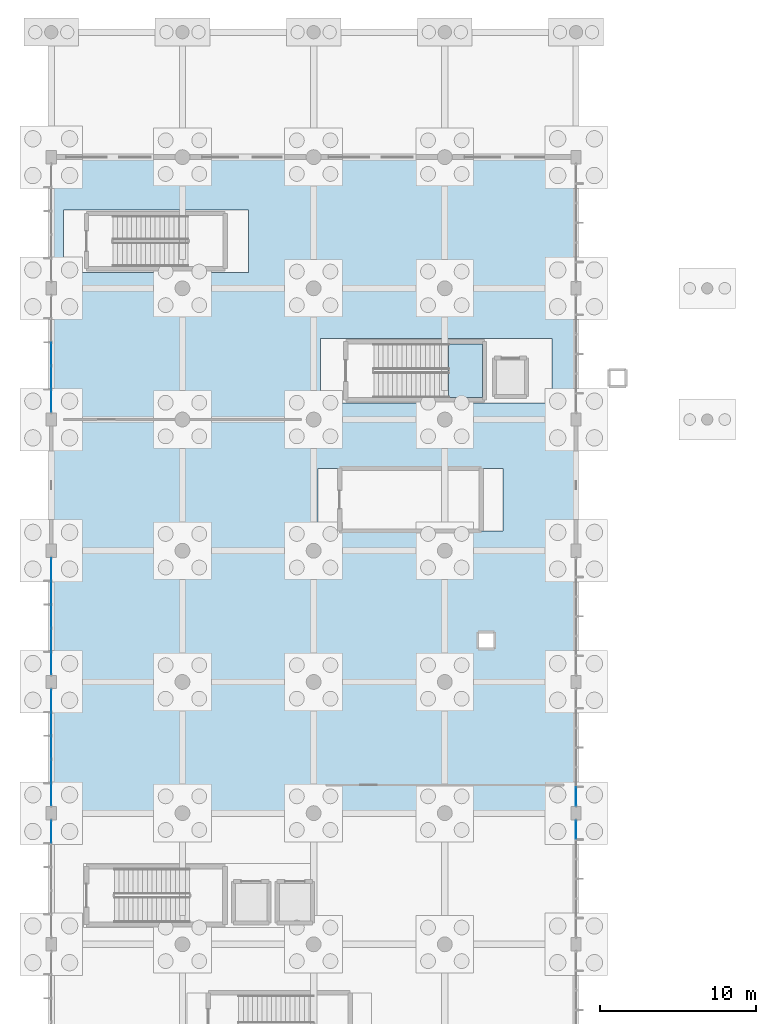
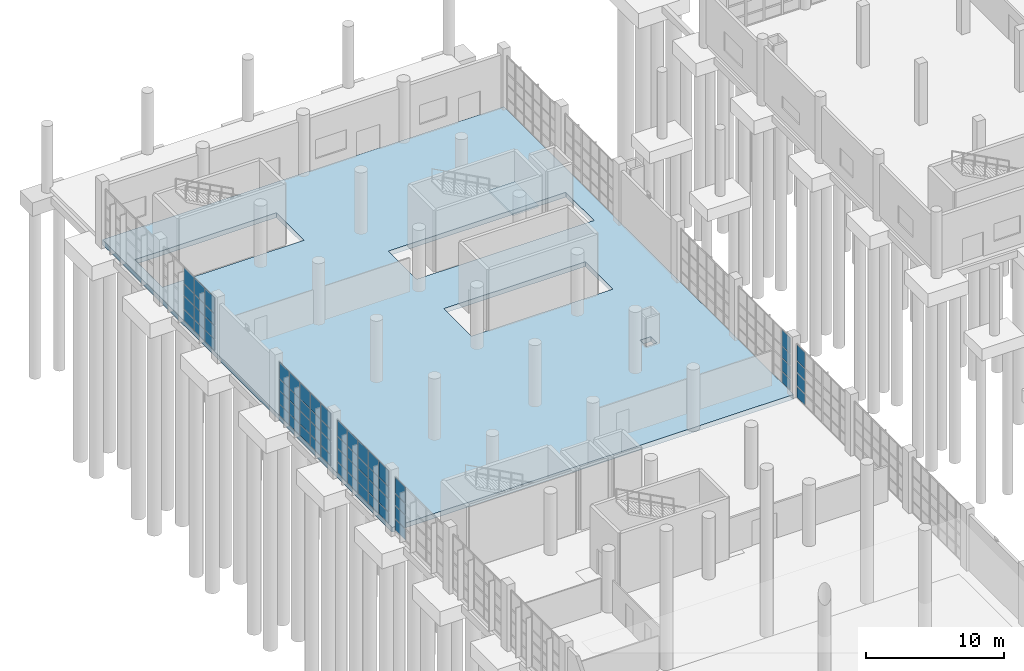
# One storey, part 41 of 83: 64 plates, 2 slabs, 7 elements without a shape of their own.
"""IFC4 building model written with IfcOpenShell, lengths in metres."""

from ifc_helpers import new_model, si_unit, direction, frame, origin, origin_2d, place, context, subcontext, project, spatial, polyline, rectangle, outline, extrude, material, layer, layer_set, type_object, element, aggregate, save


model = new_model("IFC4")

# Units and contexts
model_context = context("Model", 3, precision=1e-05, world=origin(), true_north=direction((0.0, 1.0)))
body_context = subcontext(model_context, "Body", "Model", "MODEL_VIEW")
ifc_project = project(units=[si_unit("LENGTHUNIT", "METRE"), si_unit("AREAUNIT", "SQUARE_METRE"), si_unit("VOLUMEUNIT", "CUBIC_METRE"), si_unit("PLANEANGLEUNIT", "RADIAN"), si_unit("MASSUNIT", "GRAM", prefix="KILO"), si_unit("THERMODYNAMICTEMPERATUREUNIT", "KELVIN"), si_unit("POWERUNIT", "WATT")], contexts=[model_context])

# Site, building, storey
site_placement = place(None, origin())
site = spatial("IfcSite", under=ifc_project, at=site_placement, CompositionType="ELEMENT")
building_placement = place(site_placement, origin())
building = spatial("IfcBuilding", under=site, at=building_placement, Name="Mavoryth Pier Ferry Terminal", CompositionType="ELEMENT")
storey_placement = place(building_placement, origin())
storey = spatial("IfcBuildingStorey", under=building, at=storey_placement, Name="L00", CompositionType="ELEMENT", Elevation=0.0)

# Curtain wall, plates
ifc_material_1 = material(Name="Anodised Aluminium and Solar-Control Low-E Glass", Category="aluminium")
ifc_layer_1 = layer(ifc_material_1, 0.179931640625, Name="Anodised Aluminium and Solar-Control Low-E Glass", Category="aluminium")
ifc_layer_set_1 = layer_set([ifc_layer_1], Name="Anodised Aluminium and Solar-Control Low-E Glass - CW-Concourse-Mod1400")
curtain_wall_type_1 = type_object("IfcCurtainWallType", Name="CW-Concourse-Mod1400", PredefinedType="USERDEFINED", material=ifc_layer_set_1)
curtain_wall_1_placement = place(storey_placement, origin())
curtain_wall_1 = element("IfcCurtainWall", 1, at=curtain_wall_1_placement, inside=storey, type_object=curtain_wall_type_1, Name="Curtain Wall CW-0033-009", ObjectType="UNITISED CURTAIN WALL", PredefinedType="USERDEFINED")
ifc_material_2 = material(Name="Solar-Control Low-E Laminated Double Glazing", Category="glass")
ifc_layer_2 = layer(ifc_material_2, 0.02392578125, Name="Solar-Control Low-E Laminated Double Glazing", Category="glass")
ifc_layer_set_2 = layer_set([ifc_layer_2], Name="Solar-Control Low-E Laminated Double Glazing - Panel-LowE-DGU-24")
plate_type = type_object("IfcPlateType", Name="Panel-LowE-DGU-24", PredefinedType="CURTAIN_PANEL", material=ifc_layer_set_2)
plate_1_placement = place(storey_placement, frame((0.0, 62.8037109375, 0.06494140625), z_axis=(0.0, 0.0, 1.0), x_axis=(0.0, -1.0, 0.0)))
plate_1 = element("IfcPlate", 2, at=plate_1_placement, type_object=plate_type, Name="CW01 panel 1.1", PredefinedType="CURTAIN_PANEL", context=body_context, shape_type="SweptSolid", body=[
    extrude(rectangle(XDim=1.41259765625, YDim=0.02392578125, at=origin_2d()), origin(), (0.0, 0.0, 1.0), 0.952392578125),
])
plate_2_placement = place(storey_placement, frame((0.0, 62.8037109375, 1.08251953125), z_axis=(0.0, 0.0, 1.0), x_axis=(0.0, -1.0, 0.0)))
plate_2 = element("IfcPlate", 3, at=plate_2_placement, type_object=plate_type, Name="CW01 panel 1.2", PredefinedType="CURTAIN_PANEL", context=body_context, shape_type="SweptSolid", body=[
    extrude(rectangle(XDim=1.41259765625, YDim=0.02392578125, at=origin_2d()), origin(), (0.0, 0.0, 1.0), 1.135009765625),
])
plate_3_placement = place(storey_placement, frame((0.0, 62.8037109375, 2.2822265625), z_axis=(0.0, 0.0, 1.0), x_axis=(0.0, -1.0, 0.0)))
plate_3 = element("IfcPlate", 4, at=plate_3_placement, type_object=plate_type, Name="CW01 panel 1.3", PredefinedType="CURTAIN_PANEL", context=body_context, shape_type="SweptSolid", body=[
    extrude(rectangle(XDim=1.41259765625, YDim=0.02392578125, at=origin_2d()), origin(), (0.0, 0.0, 1.0), 0.985107421875),
])
plate_4_placement = place(storey_placement, frame((0.0, 62.8037109375, 3.33251953125), z_axis=(0.0, 0.0, 1.0), x_axis=(0.0, -1.0, 0.0)))
plate_4 = element("IfcPlate", 5, at=plate_4_placement, type_object=plate_type, Name="CW01 panel 1.4", PredefinedType="CURTAIN_PANEL", context=body_context, shape_type="SweptSolid", body=[
    extrude(rectangle(XDim=1.41259765625, YDim=0.02392578125, at=origin_2d()), origin(), (0.0, 0.0, 1.0), 1.3974609375),
])
aggregate(curtain_wall_1, [plate_1, plate_2, plate_3, plate_4])

ifc_layer_3 = layer(ifc_material_1, 0.199951171875, Name="Anodised Aluminium and Solar-Control Low-E Glass", Category="aluminium")
ifc_layer_set_3 = layer_set([ifc_layer_3], Name="Anodised Aluminium and Solar-Control Low-E Glass - CW-Concourse-Mod1200")
curtain_wall_type_2 = type_object("IfcCurtainWallType", Name="CW-Concourse-Mod1200", PredefinedType="USERDEFINED", material=ifc_layer_set_3)
curtain_wall_2_placement = place(storey_placement, origin())
curtain_wall_2 = element("IfcCurtainWall", 6, at=curtain_wall_2_placement, inside=storey, type_object=curtain_wall_type_2, Name="Curtain Wall CW-0022-010", ObjectType="UNITISED CURTAIN WALL", PredefinedType="USERDEFINED")
plate_5_placement = place(storey_placement, frame((33.60009765625, 62.930908203125, 0.06005859375), z_axis=(0.0, 0.0, 1.0), x_axis=(0.0, 1.0, 0.0)))
plate_5 = element("IfcPlate", 7, at=plate_5_placement, type_object=plate_type, Name="CW02 panel 6.1", PredefinedType="CURTAIN_PANEL", context=body_context, shape_type="SweptSolid", body=[
    extrude(rectangle(XDim=1.168212890625, YDim=0.02392578125, at=origin_2d()), origin(), (0.0, 0.0, 1.0), 0.9599609375),
])
plate_6_placement = place(storey_placement, frame((33.60009765625, 62.930908203125, 1.080078125), z_axis=(0.0, 0.0, 1.0), x_axis=(0.0, 1.0, 0.0)))
plate_6 = element("IfcPlate", 8, at=plate_6_placement, type_object=plate_type, Name="CW02 panel 6.2", PredefinedType="CURTAIN_PANEL", context=body_context, shape_type="SweptSolid", body=[
    extrude(rectangle(XDim=1.168212890625, YDim=0.02392578125, at=origin_2d()), origin(), (0.0, 0.0, 1.0), 1.139892578125),
])
plate_7_placement = place(storey_placement, frame((33.60009765625, 62.930908203125, 2.27978515625), z_axis=(0.0, 0.0, 1.0), x_axis=(0.0, 1.0, 0.0)))
plate_7 = element("IfcPlate", 9, at=plate_7_placement, type_object=plate_type, Name="CW02 panel 6.3", PredefinedType="CURTAIN_PANEL", context=body_context, shape_type="SweptSolid", body=[
    extrude(rectangle(XDim=1.168212890625, YDim=0.02392578125, at=origin_2d()), origin(), (0.0, 0.0, 1.0), 0.989990234375),
])
plate_8_placement = place(storey_placement, frame((33.60009765625, 62.930908203125, 3.330078125), z_axis=(0.0, 0.0, 1.0), x_axis=(0.0, 1.0, 0.0)))
plate_8 = element("IfcPlate", 10, at=plate_8_placement, type_object=plate_type, Name="CW02 panel 6.4", PredefinedType="CURTAIN_PANEL", context=body_context, shape_type="SweptSolid", body=[
    extrude(rectangle(XDim=1.168212890625, YDim=0.02392578125, at=origin_2d()), origin(), (0.0, 0.0, 1.0), 1.405029296875),
])
aggregate(curtain_wall_2, [plate_5, plate_6, plate_7, plate_8])

curtain_wall_3_placement = place(storey_placement, origin())
curtain_wall_3 = element("IfcCurtainWall", 11, at=curtain_wall_3_placement, inside=storey, type_object=curtain_wall_type_1, Name="Curtain Wall CW-0033-013", ObjectType="UNITISED CURTAIN WALL", PredefinedType="USERDEFINED")
plate_9_placement = place(storey_placement, frame((0.0, 71.203857421875, 0.06494140625), z_axis=(0.0, 0.0, 1.0), x_axis=(0.0, -1.0, 0.0)))
plate_9 = element("IfcPlate", 12, at=plate_9_placement, type_object=plate_type, Name="CW01 panel 1.1", PredefinedType="CURTAIN_PANEL", context=body_context, shape_type="SweptSolid", body=[
    extrude(rectangle(XDim=1.41259765625, YDim=0.02392578125, at=origin_2d()), origin(), (0.0, 0.0, 1.0), 0.952392578125),
])
plate_10_placement = place(storey_placement, frame((0.0, 71.203857421875, 1.08251953125), z_axis=(0.0, 0.0, 1.0), x_axis=(0.0, -1.0, 0.0)))
plate_10 = element("IfcPlate", 13, at=plate_10_placement, type_object=plate_type, Name="CW01 panel 1.2", PredefinedType="CURTAIN_PANEL", context=body_context, shape_type="SweptSolid", body=[
    extrude(rectangle(XDim=1.41259765625, YDim=0.02392578125, at=origin_2d()), origin(), (0.0, 0.0, 1.0), 1.135009765625),
])
plate_11_placement = place(storey_placement, frame((0.0, 71.203857421875, 2.2822265625), z_axis=(0.0, 0.0, 1.0), x_axis=(0.0, -1.0, 0.0)))
plate_11 = element("IfcPlate", 14, at=plate_11_placement, type_object=plate_type, Name="CW01 panel 1.3", PredefinedType="CURTAIN_PANEL", context=body_context, shape_type="SweptSolid", body=[
    extrude(rectangle(XDim=1.41259765625, YDim=0.02392578125, at=origin_2d()), origin(), (0.0, 0.0, 1.0), 0.985107421875),
])
plate_12_placement = place(storey_placement, frame((0.0, 71.203857421875, 3.33251953125), z_axis=(0.0, 0.0, 1.0), x_axis=(0.0, -1.0, 0.0)))
plate_12 = element("IfcPlate", 15, at=plate_12_placement, type_object=plate_type, Name="CW01 panel 1.4", PredefinedType="CURTAIN_PANEL", context=body_context, shape_type="SweptSolid", body=[
    extrude(rectangle(XDim=1.41259765625, YDim=0.02392578125, at=origin_2d()), origin(), (0.0, 0.0, 1.0), 1.3974609375),
])
plate_13_placement = place(storey_placement, frame((0.0, 69.7099609375, 0.06494140625), z_axis=(0.0, 0.0, 1.0), x_axis=(0.0, -1.0, 0.0)))
plate_13 = element("IfcPlate", 16, at=plate_13_placement, type_object=plate_type, Name="CW01 panel 2.1", PredefinedType="CURTAIN_PANEL", context=body_context, shape_type="SweptSolid", body=[
    extrude(rectangle(XDim=1.445068359375, YDim=0.02392578125, at=origin_2d()), origin(), (0.0, 0.0, 1.0), 0.952392578125),
])
plate_14_placement = place(storey_placement, frame((0.0, 69.7099609375, 1.08251953125), z_axis=(0.0, 0.0, 1.0), x_axis=(0.0, -1.0, 0.0)))
plate_14 = element("IfcPlate", 17, at=plate_14_placement, type_object=plate_type, Name="CW01 panel 2.2", PredefinedType="CURTAIN_PANEL", context=body_context, shape_type="SweptSolid", body=[
    extrude(rectangle(XDim=1.445068359375, YDim=0.02392578125, at=origin_2d()), origin(), (0.0, 0.0, 1.0), 1.135009765625),
])
plate_15_placement = place(storey_placement, frame((0.0, 69.7099609375, 2.2822265625), z_axis=(0.0, 0.0, 1.0), x_axis=(0.0, -1.0, 0.0)))
plate_15 = element("IfcPlate", 18, at=plate_15_placement, type_object=plate_type, Name="CW01 panel 2.3", PredefinedType="CURTAIN_PANEL", context=body_context, shape_type="SweptSolid", body=[
    extrude(rectangle(XDim=1.445068359375, YDim=0.02392578125, at=origin_2d()), origin(), (0.0, 0.0, 1.0), 0.985107421875),
])
plate_16_placement = place(storey_placement, frame((0.0, 69.7099609375, 3.33251953125), z_axis=(0.0, 0.0, 1.0), x_axis=(0.0, -1.0, 0.0)))
plate_16 = element("IfcPlate", 19, at=plate_16_placement, type_object=plate_type, Name="CW01 panel 2.4", PredefinedType="CURTAIN_PANEL", context=body_context, shape_type="SweptSolid", body=[
    extrude(rectangle(XDim=1.445068359375, YDim=0.02392578125, at=origin_2d()), origin(), (0.0, 0.0, 1.0), 1.3974609375),
])
plate_17_placement = place(storey_placement, frame((0.0, 68.199951171875, 0.06494140625), z_axis=(0.0, 0.0, 1.0), x_axis=(0.0, -1.0, 0.0)))
plate_17 = element("IfcPlate", 20, at=plate_17_placement, type_object=plate_type, Name="CW01 panel 3.1", PredefinedType="CURTAIN_PANEL", context=body_context, shape_type="SweptSolid", body=[
    extrude(rectangle(XDim=1.445068359375, YDim=0.02392578125, at=origin_2d()), origin(), (0.0, 0.0, 1.0), 0.952392578125),
])
plate_18_placement = place(storey_placement, frame((0.0, 68.199951171875, 1.08251953125), z_axis=(0.0, 0.0, 1.0), x_axis=(0.0, -1.0, 0.0)))
plate_18 = element("IfcPlate", 21, at=plate_18_placement, type_object=plate_type, Name="CW01 panel 3.2", PredefinedType="CURTAIN_PANEL", context=body_context, shape_type="SweptSolid", body=[
    extrude(rectangle(XDim=1.445068359375, YDim=0.02392578125, at=origin_2d()), origin(), (0.0, 0.0, 1.0), 1.135009765625),
])
plate_19_placement = place(storey_placement, frame((0.0, 68.199951171875, 2.2822265625), z_axis=(0.0, 0.0, 1.0), x_axis=(0.0, -1.0, 0.0)))
plate_19 = element("IfcPlate", 22, at=plate_19_placement, type_object=plate_type, Name="CW01 panel 3.3", PredefinedType="CURTAIN_PANEL", context=body_context, shape_type="SweptSolid", body=[
    extrude(rectangle(XDim=1.445068359375, YDim=0.02392578125, at=origin_2d()), origin(), (0.0, 0.0, 1.0), 0.985107421875),
])
plate_20_placement = place(storey_placement, frame((0.0, 68.199951171875, 3.33251953125), z_axis=(0.0, 0.0, 1.0), x_axis=(0.0, -1.0, 0.0)))
plate_20 = element("IfcPlate", 23, at=plate_20_placement, type_object=plate_type, Name="CW01 panel 3.4", PredefinedType="CURTAIN_PANEL", context=body_context, shape_type="SweptSolid", body=[
    extrude(rectangle(XDim=1.445068359375, YDim=0.02392578125, at=origin_2d()), origin(), (0.0, 0.0, 1.0), 1.3974609375),
])
plate_21_placement = place(storey_placement, frame((0.0, 66.68994140625, 0.06494140625), z_axis=(0.0, 0.0, 1.0), x_axis=(0.0, -1.0, 0.0)))
plate_21 = element("IfcPlate", 24, at=plate_21_placement, type_object=plate_type, Name="CW01 panel 4.1", PredefinedType="CURTAIN_PANEL", context=body_context, shape_type="SweptSolid", body=[
    extrude(rectangle(XDim=1.445068359375, YDim=0.02392578125, at=origin_2d()), origin(), (0.0, 0.0, 1.0), 0.952392578125),
])
plate_22_placement = place(storey_placement, frame((0.0, 66.68994140625, 1.08251953125), z_axis=(0.0, 0.0, 1.0), x_axis=(0.0, -1.0, 0.0)))
plate_22 = element("IfcPlate", 25, at=plate_22_placement, type_object=plate_type, Name="CW01 panel 4.2", PredefinedType="CURTAIN_PANEL", context=body_context, shape_type="SweptSolid", body=[
    extrude(rectangle(XDim=1.445068359375, YDim=0.02392578125, at=origin_2d()), origin(), (0.0, 0.0, 1.0), 1.135009765625),
])
plate_23_placement = place(storey_placement, frame((0.0, 66.68994140625, 2.2822265625), z_axis=(0.0, 0.0, 1.0), x_axis=(0.0, -1.0, 0.0)))
plate_23 = element("IfcPlate", 26, at=plate_23_placement, type_object=plate_type, Name="CW01 panel 4.3", PredefinedType="CURTAIN_PANEL", context=body_context, shape_type="SweptSolid", body=[
    extrude(rectangle(XDim=1.445068359375, YDim=0.02392578125, at=origin_2d()), origin(), (0.0, 0.0, 1.0), 0.985107421875),
])
plate_24_placement = place(storey_placement, frame((0.0, 66.68994140625, 3.33251953125), z_axis=(0.0, 0.0, 1.0), x_axis=(0.0, -1.0, 0.0)))
plate_24 = element("IfcPlate", 27, at=plate_24_placement, type_object=plate_type, Name="CW01 panel 4.4", PredefinedType="CURTAIN_PANEL", context=body_context, shape_type="SweptSolid", body=[
    extrude(rectangle(XDim=1.445068359375, YDim=0.02392578125, at=origin_2d()), origin(), (0.0, 0.0, 1.0), 1.3974609375),
])
plate_25_placement = place(storey_placement, frame((0.0, 65.1962890625, 0.06494140625), z_axis=(0.0, 0.0, 1.0), x_axis=(0.0, -1.0, 0.0)))
plate_25 = element("IfcPlate", 28, at=plate_25_placement, type_object=plate_type, Name="CW01 panel 5.1", PredefinedType="CURTAIN_PANEL", context=body_context, shape_type="SweptSolid", body=[
    extrude(rectangle(XDim=1.41259765625, YDim=0.02392578125, at=origin_2d()), origin(), (0.0, 0.0, 1.0), 0.952392578125),
])
plate_26_placement = place(storey_placement, frame((0.0, 65.1962890625, 1.08251953125), z_axis=(0.0, 0.0, 1.0), x_axis=(0.0, -1.0, 0.0)))
plate_26 = element("IfcPlate", 29, at=plate_26_placement, type_object=plate_type, Name="CW01 panel 5.2", PredefinedType="CURTAIN_PANEL", context=body_context, shape_type="SweptSolid", body=[
    extrude(rectangle(XDim=1.41259765625, YDim=0.02392578125, at=origin_2d()), origin(), (0.0, 0.0, 1.0), 1.135009765625),
])
plate_27_placement = place(storey_placement, frame((0.0, 65.1962890625, 2.2822265625), z_axis=(0.0, 0.0, 1.0), x_axis=(0.0, -1.0, 0.0)))
plate_27 = element("IfcPlate", 30, at=plate_27_placement, type_object=plate_type, Name="CW01 panel 5.3", PredefinedType="CURTAIN_PANEL", context=body_context, shape_type="SweptSolid", body=[
    extrude(rectangle(XDim=1.41259765625, YDim=0.02392578125, at=origin_2d()), origin(), (0.0, 0.0, 1.0), 0.985107421875),
])
plate_28_placement = place(storey_placement, frame((0.0, 65.1962890625, 3.33251953125), z_axis=(0.0, 0.0, 1.0), x_axis=(0.0, -1.0, 0.0)))
plate_28 = element("IfcPlate", 31, at=plate_28_placement, type_object=plate_type, Name="CW01 panel 5.4", PredefinedType="CURTAIN_PANEL", context=body_context, shape_type="SweptSolid", body=[
    extrude(rectangle(XDim=1.41259765625, YDim=0.02392578125, at=origin_2d()), origin(), (0.0, 0.0, 1.0), 1.3974609375),
])
aggregate(curtain_wall_3, [plate_9, plate_10, plate_11, plate_12, plate_13, plate_14, plate_15, plate_16, plate_17, plate_18, plate_19, plate_20, plate_21, plate_22, plate_23, plate_24, plate_25, plate_26, plate_27, plate_28])

curtain_wall_4_placement = place(storey_placement, origin())
curtain_wall_4 = element("IfcCurtainWall", 32, at=curtain_wall_4_placement, inside=storey, type_object=curtain_wall_type_2, Name="Curtain Wall CW-0022-014", ObjectType="UNITISED CURTAIN WALL", PredefinedType="USERDEFINED")
plate_29_placement = place(storey_placement, frame((33.60009765625, 65.069091796875, 0.06005859375), z_axis=(0.0, 0.0, 1.0), x_axis=(0.0, 1.0, 0.0)))
plate_29 = element("IfcPlate", 33, at=plate_29_placement, type_object=plate_type, Name="CW02 panel 1.1", PredefinedType="CURTAIN_PANEL", context=body_context, shape_type="SweptSolid", body=[
    extrude(rectangle(XDim=1.168212890625, YDim=0.02392578125, at=origin_2d()), origin(), (0.0, 0.0, 1.0), 0.9599609375),
])
plate_30_placement = place(storey_placement, frame((33.60009765625, 65.069091796875, 1.080078125), z_axis=(0.0, 0.0, 1.0), x_axis=(0.0, 1.0, 0.0)))
plate_30 = element("IfcPlate", 34, at=plate_30_placement, type_object=plate_type, Name="CW02 panel 1.2", PredefinedType="CURTAIN_PANEL", context=body_context, shape_type="SweptSolid", body=[
    extrude(rectangle(XDim=1.168212890625, YDim=0.02392578125, at=origin_2d()), origin(), (0.0, 0.0, 1.0), 1.139892578125),
])
plate_31_placement = place(storey_placement, frame((33.60009765625, 65.069091796875, 2.27978515625), z_axis=(0.0, 0.0, 1.0), x_axis=(0.0, 1.0, 0.0)))
plate_31 = element("IfcPlate", 35, at=plate_31_placement, type_object=plate_type, Name="CW02 panel 1.3", PredefinedType="CURTAIN_PANEL", context=body_context, shape_type="SweptSolid", body=[
    extrude(rectangle(XDim=1.168212890625, YDim=0.02392578125, at=origin_2d()), origin(), (0.0, 0.0, 1.0), 0.989990234375),
])
plate_32_placement = place(storey_placement, frame((33.60009765625, 65.069091796875, 3.330078125), z_axis=(0.0, 0.0, 1.0), x_axis=(0.0, 1.0, 0.0)))
plate_32 = element("IfcPlate", 36, at=plate_32_placement, type_object=plate_type, Name="CW02 panel 1.4", PredefinedType="CURTAIN_PANEL", context=body_context, shape_type="SweptSolid", body=[
    extrude(rectangle(XDim=1.168212890625, YDim=0.02392578125, at=origin_2d()), origin(), (0.0, 0.0, 1.0), 1.405029296875),
])
aggregate(curtain_wall_4, [plate_29, plate_30, plate_31, plate_32])

curtain_wall_5_placement = place(storey_placement, origin())
curtain_wall_5 = element("IfcCurtainWall", 37, at=curtain_wall_5_placement, inside=storey, type_object=curtain_wall_type_1, Name="Curtain Wall CW-0033-017", ObjectType="UNITISED CURTAIN WALL", PredefinedType="USERDEFINED")
plate_33_placement = place(storey_placement, frame((0.0, 79.603759765625, 0.06494140625), z_axis=(0.0, 0.0, 1.0), x_axis=(0.0, -1.0, 0.0)))
plate_33 = element("IfcPlate", 38, at=plate_33_placement, type_object=plate_type, Name="CW01 panel 1.1", PredefinedType="CURTAIN_PANEL", context=body_context, shape_type="SweptSolid", body=[
    extrude(rectangle(XDim=1.41259765625, YDim=0.02392578125, at=origin_2d()), origin(), (0.0, 0.0, 1.0), 0.952392578125),
])
plate_34_placement = place(storey_placement, frame((0.0, 79.603759765625, 1.08251953125), z_axis=(0.0, 0.0, 1.0), x_axis=(0.0, -1.0, 0.0)))
plate_34 = element("IfcPlate", 39, at=plate_34_placement, type_object=plate_type, Name="CW01 panel 1.2", PredefinedType="CURTAIN_PANEL", context=body_context, shape_type="SweptSolid", body=[
    extrude(rectangle(XDim=1.41259765625, YDim=0.02392578125, at=origin_2d()), origin(), (0.0, 0.0, 1.0), 1.135009765625),
])
plate_35_placement = place(storey_placement, frame((0.0, 79.603759765625, 2.2822265625), z_axis=(0.0, 0.0, 1.0), x_axis=(0.0, -1.0, 0.0)))
plate_35 = element("IfcPlate", 40, at=plate_35_placement, type_object=plate_type, Name="CW01 panel 1.3", PredefinedType="CURTAIN_PANEL", context=body_context, shape_type="SweptSolid", body=[
    extrude(rectangle(XDim=1.41259765625, YDim=0.02392578125, at=origin_2d()), origin(), (0.0, 0.0, 1.0), 0.985107421875),
])
plate_36_placement = place(storey_placement, frame((0.0, 79.603759765625, 3.33251953125), z_axis=(0.0, 0.0, 1.0), x_axis=(0.0, -1.0, 0.0)))
plate_36 = element("IfcPlate", 41, at=plate_36_placement, type_object=plate_type, Name="CW01 panel 1.4", PredefinedType="CURTAIN_PANEL", context=body_context, shape_type="SweptSolid", body=[
    extrude(rectangle(XDim=1.41259765625, YDim=0.02392578125, at=origin_2d()), origin(), (0.0, 0.0, 1.0), 1.3974609375),
])
plate_37_placement = place(storey_placement, frame((0.0, 78.110107421875, 0.06494140625), z_axis=(0.0, 0.0, 1.0), x_axis=(0.0, -1.0, 0.0)))
plate_37 = element("IfcPlate", 42, at=plate_37_placement, type_object=plate_type, Name="CW01 panel 2.1", PredefinedType="CURTAIN_PANEL", context=body_context, shape_type="SweptSolid", body=[
    extrude(rectangle(XDim=1.445068359375, YDim=0.02392578125, at=origin_2d()), origin(), (0.0, 0.0, 1.0), 0.952392578125),
])
plate_38_placement = place(storey_placement, frame((0.0, 78.110107421875, 1.08251953125), z_axis=(0.0, 0.0, 1.0), x_axis=(0.0, -1.0, 0.0)))
plate_38 = element("IfcPlate", 43, at=plate_38_placement, type_object=plate_type, Name="CW01 panel 2.2", PredefinedType="CURTAIN_PANEL", context=body_context, shape_type="SweptSolid", body=[
    extrude(rectangle(XDim=1.445068359375, YDim=0.02392578125, at=origin_2d()), origin(), (0.0, 0.0, 1.0), 1.135009765625),
])
plate_39_placement = place(storey_placement, frame((0.0, 78.110107421875, 2.2822265625), z_axis=(0.0, 0.0, 1.0), x_axis=(0.0, -1.0, 0.0)))
plate_39 = element("IfcPlate", 44, at=plate_39_placement, type_object=plate_type, Name="CW01 panel 2.3", PredefinedType="CURTAIN_PANEL", context=body_context, shape_type="SweptSolid", body=[
    extrude(rectangle(XDim=1.445068359375, YDim=0.02392578125, at=origin_2d()), origin(), (0.0, 0.0, 1.0), 0.985107421875),
])
plate_40_placement = place(storey_placement, frame((0.0, 78.110107421875, 3.33251953125), z_axis=(0.0, 0.0, 1.0), x_axis=(0.0, -1.0, 0.0)))
plate_40 = element("IfcPlate", 45, at=plate_40_placement, type_object=plate_type, Name="CW01 panel 2.4", PredefinedType="CURTAIN_PANEL", context=body_context, shape_type="SweptSolid", body=[
    extrude(rectangle(XDim=1.445068359375, YDim=0.02392578125, at=origin_2d()), origin(), (0.0, 0.0, 1.0), 1.3974609375),
])
plate_41_placement = place(storey_placement, frame((0.0, 76.60009765625, 0.06494140625), z_axis=(0.0, 0.0, 1.0), x_axis=(0.0, -1.0, 0.0)))
plate_41 = element("IfcPlate", 46, at=plate_41_placement, type_object=plate_type, Name="CW01 panel 3.1", PredefinedType="CURTAIN_PANEL", context=body_context, shape_type="SweptSolid", body=[
    extrude(rectangle(XDim=1.445068359375, YDim=0.02392578125, at=origin_2d()), origin(), (0.0, 0.0, 1.0), 0.952392578125),
])
plate_42_placement = place(storey_placement, frame((0.0, 76.60009765625, 1.08251953125), z_axis=(0.0, 0.0, 1.0), x_axis=(0.0, -1.0, 0.0)))
plate_42 = element("IfcPlate", 47, at=plate_42_placement, type_object=plate_type, Name="CW01 panel 3.2", PredefinedType="CURTAIN_PANEL", context=body_context, shape_type="SweptSolid", body=[
    extrude(rectangle(XDim=1.445068359375, YDim=0.02392578125, at=origin_2d()), origin(), (0.0, 0.0, 1.0), 1.135009765625),
])
plate_43_placement = place(storey_placement, frame((0.0, 76.60009765625, 2.2822265625), z_axis=(0.0, 0.0, 1.0), x_axis=(0.0, -1.0, 0.0)))
plate_43 = element("IfcPlate", 48, at=plate_43_placement, type_object=plate_type, Name="CW01 panel 3.3", PredefinedType="CURTAIN_PANEL", context=body_context, shape_type="SweptSolid", body=[
    extrude(rectangle(XDim=1.445068359375, YDim=0.02392578125, at=origin_2d()), origin(), (0.0, 0.0, 1.0), 0.985107421875),
])
plate_44_placement = place(storey_placement, frame((0.0, 76.60009765625, 3.33251953125), z_axis=(0.0, 0.0, 1.0), x_axis=(0.0, -1.0, 0.0)))
plate_44 = element("IfcPlate", 49, at=plate_44_placement, type_object=plate_type, Name="CW01 panel 3.4", PredefinedType="CURTAIN_PANEL", context=body_context, shape_type="SweptSolid", body=[
    extrude(rectangle(XDim=1.445068359375, YDim=0.02392578125, at=origin_2d()), origin(), (0.0, 0.0, 1.0), 1.3974609375),
])
plate_45_placement = place(storey_placement, frame((0.0, 75.090087890625, 0.06494140625), z_axis=(0.0, 0.0, 1.0), x_axis=(0.0, -1.0, 0.0)))
plate_45 = element("IfcPlate", 50, at=plate_45_placement, type_object=plate_type, Name="CW01 panel 4.1", PredefinedType="CURTAIN_PANEL", context=body_context, shape_type="SweptSolid", body=[
    extrude(rectangle(XDim=1.445068359375, YDim=0.02392578125, at=origin_2d()), origin(), (0.0, 0.0, 1.0), 0.952392578125),
])
plate_46_placement = place(storey_placement, frame((0.0, 75.090087890625, 1.08251953125), z_axis=(0.0, 0.0, 1.0), x_axis=(0.0, -1.0, 0.0)))
plate_46 = element("IfcPlate", 51, at=plate_46_placement, type_object=plate_type, Name="CW01 panel 4.2", PredefinedType="CURTAIN_PANEL", context=body_context, shape_type="SweptSolid", body=[
    extrude(rectangle(XDim=1.445068359375, YDim=0.02392578125, at=origin_2d()), origin(), (0.0, 0.0, 1.0), 1.135009765625),
])
plate_47_placement = place(storey_placement, frame((0.0, 75.090087890625, 2.2822265625), z_axis=(0.0, 0.0, 1.0), x_axis=(0.0, -1.0, 0.0)))
plate_47 = element("IfcPlate", 52, at=plate_47_placement, type_object=plate_type, Name="CW01 panel 4.3", PredefinedType="CURTAIN_PANEL", context=body_context, shape_type="SweptSolid", body=[
    extrude(rectangle(XDim=1.445068359375, YDim=0.02392578125, at=origin_2d()), origin(), (0.0, 0.0, 1.0), 0.985107421875),
])
plate_48_placement = place(storey_placement, frame((0.0, 75.090087890625, 3.33251953125), z_axis=(0.0, 0.0, 1.0), x_axis=(0.0, -1.0, 0.0)))
plate_48 = element("IfcPlate", 53, at=plate_48_placement, type_object=plate_type, Name="CW01 panel 4.4", PredefinedType="CURTAIN_PANEL", context=body_context, shape_type="SweptSolid", body=[
    extrude(rectangle(XDim=1.445068359375, YDim=0.02392578125, at=origin_2d()), origin(), (0.0, 0.0, 1.0), 1.3974609375),
])
plate_49_placement = place(storey_placement, frame((0.0, 73.59619140625, 0.06494140625), z_axis=(0.0, 0.0, 1.0), x_axis=(0.0, -1.0, 0.0)))
plate_49 = element("IfcPlate", 54, at=plate_49_placement, type_object=plate_type, Name="CW01 panel 5.1", PredefinedType="CURTAIN_PANEL", context=body_context, shape_type="SweptSolid", body=[
    extrude(rectangle(XDim=1.41259765625, YDim=0.02392578125, at=origin_2d()), origin(), (0.0, 0.0, 1.0), 0.952392578125),
])
plate_50_placement = place(storey_placement, frame((0.0, 73.59619140625, 1.08251953125), z_axis=(0.0, 0.0, 1.0), x_axis=(0.0, -1.0, 0.0)))
plate_50 = element("IfcPlate", 55, at=plate_50_placement, type_object=plate_type, Name="CW01 panel 5.2", PredefinedType="CURTAIN_PANEL", context=body_context, shape_type="SweptSolid", body=[
    extrude(rectangle(XDim=1.41259765625, YDim=0.02392578125, at=origin_2d()), origin(), (0.0, 0.0, 1.0), 1.135009765625),
])
plate_51_placement = place(storey_placement, frame((0.0, 73.59619140625, 2.2822265625), z_axis=(0.0, 0.0, 1.0), x_axis=(0.0, -1.0, 0.0)))
plate_51 = element("IfcPlate", 56, at=plate_51_placement, type_object=plate_type, Name="CW01 panel 5.3", PredefinedType="CURTAIN_PANEL", context=body_context, shape_type="SweptSolid", body=[
    extrude(rectangle(XDim=1.41259765625, YDim=0.02392578125, at=origin_2d()), origin(), (0.0, 0.0, 1.0), 0.985107421875),
])
plate_52_placement = place(storey_placement, frame((0.0, 73.59619140625, 3.33251953125), z_axis=(0.0, 0.0, 1.0), x_axis=(0.0, -1.0, 0.0)))
plate_52 = element("IfcPlate", 57, at=plate_52_placement, type_object=plate_type, Name="CW01 panel 5.4", PredefinedType="CURTAIN_PANEL", context=body_context, shape_type="SweptSolid", body=[
    extrude(rectangle(XDim=1.41259765625, YDim=0.02392578125, at=origin_2d()), origin(), (0.0, 0.0, 1.0), 1.3974609375),
])
aggregate(curtain_wall_5, [plate_33, plate_34, plate_35, plate_36, plate_37, plate_38, plate_39, plate_40, plate_41, plate_42, plate_43, plate_44, plate_45, plate_46, plate_47, plate_48, plate_49, plate_50, plate_51, plate_52])

curtain_wall_6_placement = place(storey_placement, origin())
curtain_wall_6 = element("IfcCurtainWall", 58, at=curtain_wall_6_placement, inside=storey, type_object=curtain_wall_type_1, Name="Curtain Wall CW-0033-025", ObjectType="UNITISED CURTAIN WALL", PredefinedType="USERDEFINED")
plate_53_placement = place(storey_placement, frame((0.0, 93.39990234375, 0.06494140625), z_axis=(0.0, 0.0, 1.0), x_axis=(0.0, -1.0, 0.0)))
plate_53 = element("IfcPlate", 59, at=plate_53_placement, type_object=plate_type, Name="CW01 panel 3.1", PredefinedType="CURTAIN_PANEL", context=body_context, shape_type="SweptSolid", body=[
    extrude(rectangle(XDim=1.445068359375, YDim=0.02392578125, at=origin_2d()), origin(), (0.0, 0.0, 1.0), 0.952392578125),
])
plate_54_placement = place(storey_placement, frame((0.0, 93.39990234375, 1.08251953125), z_axis=(0.0, 0.0, 1.0), x_axis=(0.0, -1.0, 0.0)))
plate_54 = element("IfcPlate", 60, at=plate_54_placement, type_object=plate_type, Name="CW01 panel 3.2", PredefinedType="CURTAIN_PANEL", context=body_context, shape_type="SweptSolid", body=[
    extrude(rectangle(XDim=1.445068359375, YDim=0.02392578125, at=origin_2d()), origin(), (0.0, 0.0, 1.0), 1.135009765625),
])
plate_55_placement = place(storey_placement, frame((0.0, 93.39990234375, 2.2822265625), z_axis=(0.0, 0.0, 1.0), x_axis=(0.0, -1.0, 0.0)))
plate_55 = element("IfcPlate", 61, at=plate_55_placement, type_object=plate_type, Name="CW01 panel 3.3", PredefinedType="CURTAIN_PANEL", context=body_context, shape_type="SweptSolid", body=[
    extrude(rectangle(XDim=1.445068359375, YDim=0.02392578125, at=origin_2d()), origin(), (0.0, 0.0, 1.0), 0.985107421875),
])
plate_56_placement = place(storey_placement, frame((0.0, 93.39990234375, 3.33251953125), z_axis=(0.0, 0.0, 1.0), x_axis=(0.0, -1.0, 0.0)))
plate_56 = element("IfcPlate", 62, at=plate_56_placement, type_object=plate_type, Name="CW01 panel 3.4", PredefinedType="CURTAIN_PANEL", context=body_context, shape_type="SweptSolid", body=[
    extrude(rectangle(XDim=1.445068359375, YDim=0.02392578125, at=origin_2d()), origin(), (0.0, 0.0, 1.0), 1.3974609375),
])
plate_57_placement = place(storey_placement, frame((0.0, 91.889892578125, 0.06494140625), z_axis=(0.0, 0.0, 1.0), x_axis=(0.0, -1.0, 0.0)))
plate_57 = element("IfcPlate", 63, at=plate_57_placement, type_object=plate_type, Name="CW01 panel 4.1", PredefinedType="CURTAIN_PANEL", context=body_context, shape_type="SweptSolid", body=[
    extrude(rectangle(XDim=1.445068359375, YDim=0.02392578125, at=origin_2d()), origin(), (0.0, 0.0, 1.0), 0.952392578125),
])
plate_58_placement = place(storey_placement, frame((0.0, 91.889892578125, 1.08251953125), z_axis=(0.0, 0.0, 1.0), x_axis=(0.0, -1.0, 0.0)))
plate_58 = element("IfcPlate", 64, at=plate_58_placement, type_object=plate_type, Name="CW01 panel 4.2", PredefinedType="CURTAIN_PANEL", context=body_context, shape_type="SweptSolid", body=[
    extrude(rectangle(XDim=1.445068359375, YDim=0.02392578125, at=origin_2d()), origin(), (0.0, 0.0, 1.0), 1.135009765625),
])
plate_59_placement = place(storey_placement, frame((0.0, 91.889892578125, 2.2822265625), z_axis=(0.0, 0.0, 1.0), x_axis=(0.0, -1.0, 0.0)))
plate_59 = element("IfcPlate", 65, at=plate_59_placement, type_object=plate_type, Name="CW01 panel 4.3", PredefinedType="CURTAIN_PANEL", context=body_context, shape_type="SweptSolid", body=[
    extrude(rectangle(XDim=1.445068359375, YDim=0.02392578125, at=origin_2d()), origin(), (0.0, 0.0, 1.0), 0.985107421875),
])
plate_60_placement = place(storey_placement, frame((0.0, 91.889892578125, 3.33251953125), z_axis=(0.0, 0.0, 1.0), x_axis=(0.0, -1.0, 0.0)))
plate_60 = element("IfcPlate", 66, at=plate_60_placement, type_object=plate_type, Name="CW01 panel 4.4", PredefinedType="CURTAIN_PANEL", context=body_context, shape_type="SweptSolid", body=[
    extrude(rectangle(XDim=1.445068359375, YDim=0.02392578125, at=origin_2d()), origin(), (0.0, 0.0, 1.0), 1.3974609375),
])
plate_61_placement = place(storey_placement, frame((0.0, 90.396240234375, 0.06494140625), z_axis=(0.0, 0.0, 1.0), x_axis=(0.0, -1.0, 0.0)))
plate_61 = element("IfcPlate", 67, at=plate_61_placement, type_object=plate_type, Name="CW01 panel 5.1", PredefinedType="CURTAIN_PANEL", context=body_context, shape_type="SweptSolid", body=[
    extrude(rectangle(XDim=1.41259765625, YDim=0.02392578125, at=origin_2d()), origin(), (0.0, 0.0, 1.0), 0.952392578125),
])
plate_62_placement = place(storey_placement, frame((0.0, 90.396240234375, 1.08251953125), z_axis=(0.0, 0.0, 1.0), x_axis=(0.0, -1.0, 0.0)))
plate_62 = element("IfcPlate", 68, at=plate_62_placement, type_object=plate_type, Name="CW01 panel 5.2", PredefinedType="CURTAIN_PANEL", context=body_context, shape_type="SweptSolid", body=[
    extrude(rectangle(XDim=1.41259765625, YDim=0.02392578125, at=origin_2d()), origin(), (0.0, 0.0, 1.0), 1.135009765625),
])
plate_63_placement = place(storey_placement, frame((0.0, 90.396240234375, 2.2822265625), z_axis=(0.0, 0.0, 1.0), x_axis=(0.0, -1.0, 0.0)))
plate_63 = element("IfcPlate", 69, at=plate_63_placement, type_object=plate_type, Name="CW01 panel 5.3", PredefinedType="CURTAIN_PANEL", context=body_context, shape_type="SweptSolid", body=[
    extrude(rectangle(XDim=1.41259765625, YDim=0.02392578125, at=origin_2d()), origin(), (0.0, 0.0, 1.0), 0.985107421875),
])
plate_64_placement = place(storey_placement, frame((0.0, 90.396240234375, 3.33251953125), z_axis=(0.0, 0.0, 1.0), x_axis=(0.0, -1.0, 0.0)))
plate_64 = element("IfcPlate", 70, at=plate_64_placement, type_object=plate_type, Name="CW01 panel 5.4", PredefinedType="CURTAIN_PANEL", context=body_context, shape_type="SweptSolid", body=[
    extrude(rectangle(XDim=1.41259765625, YDim=0.02392578125, at=origin_2d()), origin(), (0.0, 0.0, 1.0), 1.3974609375),
])
aggregate(curtain_wall_6, [plate_53, plate_54, plate_55, plate_56, plate_57, plate_58, plate_59, plate_60, plate_61, plate_62, plate_63, plate_64])

# Slab
ifc_material_3 = material(Name="Concrete C35/45", Category="concrete")
ifc_layer_4 = layer(ifc_material_3, 0.419921875, Name="Concrete C35/45", Category="concrete")
ifc_layer_set_4 = layer_set([ifc_layer_4], Name="Concrete C35/45 - Slab-Base-Concourse-420")
slab_type_1 = type_object("IfcSlabType", Name="Slab-Base-Concourse-420", PredefinedType="BASESLAB", material=ifc_layer_set_4)
slab_1_placement = place(storey_placement, frame((0.0, 0.0, -0.419921875)))
element("IfcSlab", 71, at=slab_1_placement, inside=storey, type_object=slab_type_1, Name="Slab SLB-V1N-L00", PredefinedType="BASESLAB", context=body_context, shape_type="SweptSolid", body=[
    extrude(outline(polyline([(0.0, 64.0), (33.60009765625, 64.0), (33.60009765625, 106.0), (0.0, 106.0), (0.0, 64.0)]), holes=[polyline([(27.39990234375, 74.60009765625), (28.300048828125, 74.60009765625), (28.300048828125, 75.5), (27.39990234375, 75.5), (27.39990234375, 74.60009765625)]), polyline([(17.22998046875, 90.27490234375), (32.070068359375, 90.27490234375), (32.070068359375, 94.375), (17.22998046875, 94.375), (17.22998046875, 90.27490234375)]), polyline([(0.780029296875, 98.625), (12.6201171875, 98.625), (12.6201171875, 102.625), (0.780029296875, 102.625), (0.780029296875, 98.625)]), polyline([(17.080078125, 82.074951171875), (28.919921875, 82.074951171875), (28.919921875, 86.074951171875), (17.080078125, 86.074951171875), (17.080078125, 82.074951171875)])]), origin(), (0.0, 0.0, 1.0), 0.419921875),
])

# Stair, slab
stair_type = type_object("IfcStairType", Name="Stair-Core-W1650", PredefinedType="TWO_STRAIGHT_RUN_STAIR", material=ifc_material_3)
stair_placement = place(storey_placement, origin())
stair = element("IfcStair", 72, at=stair_placement, inside=storey, type_object=stair_type, Name="L00 Core C1B Stair", PredefinedType="TWO_STRAIGHT_RUN_STAIR")
ifc_layer_5 = layer(ifc_material_3, 0.199951171875, Name="Concrete C35/45", Category="concrete")
ifc_layer_set_5 = layer_set([ifc_layer_5], Name="Concrete C35/45 - Slab-Landing-RC-200")
slab_type_2 = type_object("IfcSlabType", Name="Slab-Landing-RC-200", PredefinedType="LANDING", material=ifc_layer_set_5)
slab_2_placement = place(storey_placement, frame((0.0, 0.0, 2.52001953125)))
slab_2 = element("IfcSlab", 73, at=slab_2_placement, type_object=slab_type_2, Name="ST02 landing 1", PredefinedType="LANDING", context=body_context, shape_type="SweptSolid", body=[
    extrude(outline(polyline([(25.449951171875, 90.60009765625), (27.60009765625, 90.60009765625), (27.60009765625, 94.050048828125), (25.449951171875, 94.050048828125), (25.449951171875, 90.60009765625)])), origin(), (0.0, 0.0, 1.0), 0.199951171875),
])
aggregate(stair, [slab_2])

save(model, "model.ifc")
